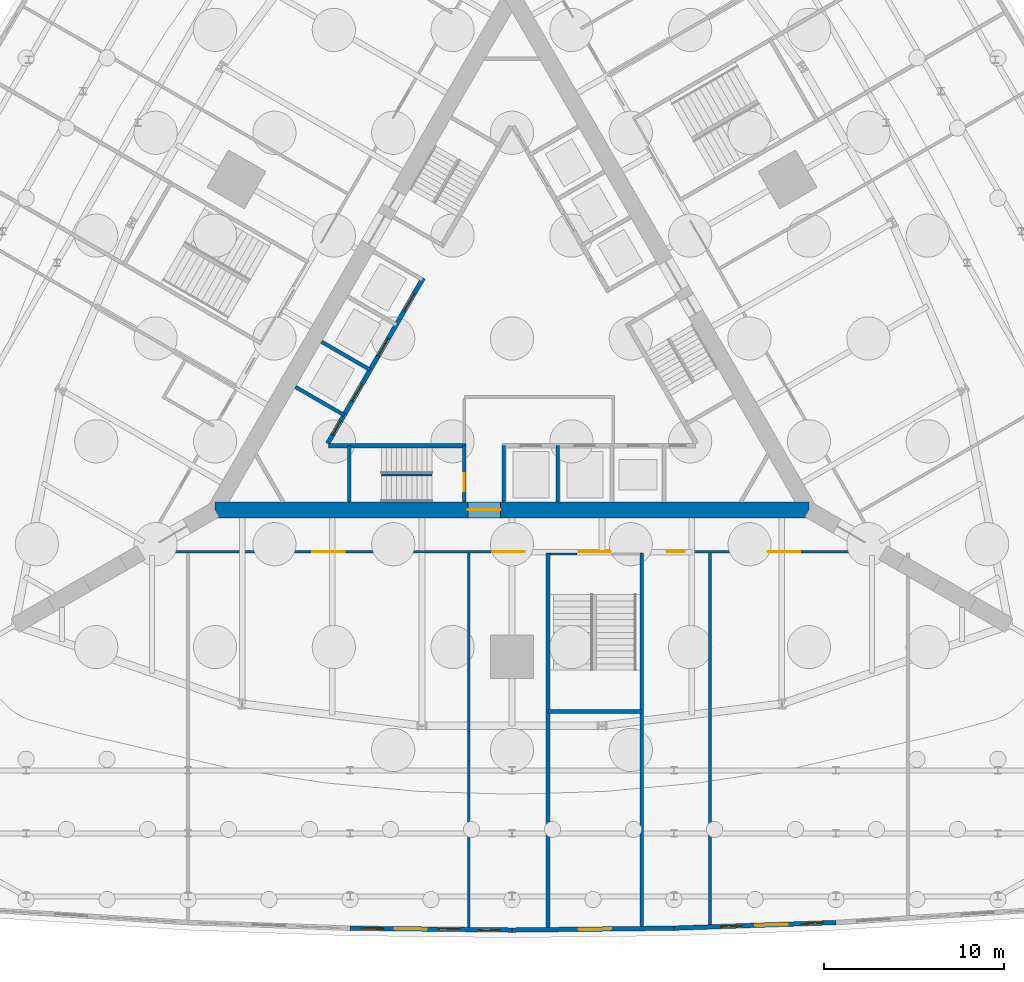
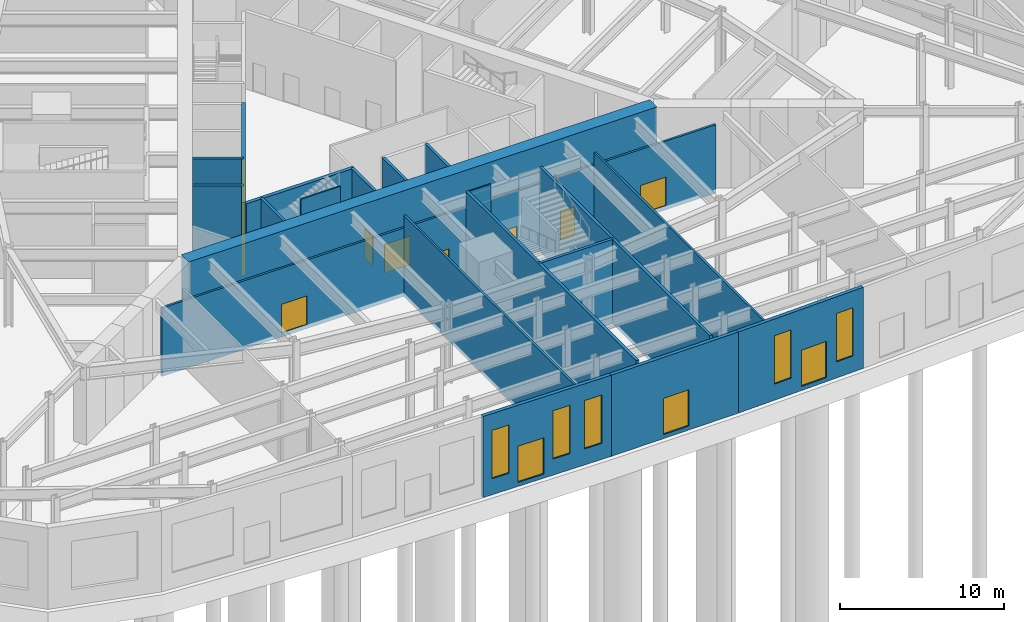
# One storey, part 10 of 17: 20 walls, 14 doors, 5 windows, 19 openings.
"""IFC4 building model written with IfcOpenShell, lengths in metres."""

from ifc_helpers import new_model, si_unit, direction, frame, frame_2d, origin, place, context, subcontext, project, spatial, rectangle, extrude, material, layer, layer_set, type_object, element, fill, save


model = new_model("IFC4")

# Units and contexts
model_context = context("Model", 3, precision=1e-05, world=origin(), true_north=direction((0.0, 1.0)))
body_context = subcontext(model_context, "Body", "Model", "MODEL_VIEW")
ifc_project = project(units=[si_unit("LENGTHUNIT", "METRE"), si_unit("AREAUNIT", "SQUARE_METRE"), si_unit("VOLUMEUNIT", "CUBIC_METRE"), si_unit("PLANEANGLEUNIT", "RADIAN"), si_unit("MASSUNIT", "GRAM", prefix="KILO")], contexts=[model_context])

# Site, building, storey
site_placement = place(None, origin())
site = spatial("IfcSite", under=ifc_project, at=site_placement, CompositionType="ELEMENT")
building_placement = place(site_placement, origin())
building = spatial("IfcBuilding", under=site, at=building_placement, Name="Trikona Tower", CompositionType="ELEMENT")
storey_placement = place(building_placement, origin())
storey = spatial("IfcBuildingStorey", under=building, at=storey_placement, Name="L00", CompositionType="ELEMENT", Elevation=0.0)

# Wall, opening, door
ifc_material_1 = material(Name="Concrete f'c 10000 psi", Category="concrete")
ifc_layer_1 = layer(ifc_material_1, 0.89990234375)
ifc_layer_set_1 = layer_set([ifc_layer_1], Name="Core wall 900")
wall_type_1 = type_object("IfcWallType", Name="Core wall 900", PredefinedType="SHEAR", material=ifc_layer_set_1)
wall_1_placement = place(storey_placement, frame((-16.5, -9.5263671875, -0.300048828125), z_axis=(0.0, 0.0, 1.0), x_axis=(1.0, 0.0, 0.0)))
wall_1 = element("IfcWall", 1, at=wall_1_placement, inside=storey, type_object=wall_type_1, Name="Core wall A", PredefinedType="SHEAR", context=body_context, shape_type="SweptSolid", body=[
    extrude(rectangle(XDim=33.0, YDim=0.89990234375, at=frame_2d((16.5, 0.0))), origin(), (0.0, 0.0, 1.0), 6.300048828125),
])
opening_1_placement = place(wall_1_placement, frame((14.050048828125, 0.0, 0.300048828125)))
opening_1 = element("IfcOpeningElement", 2, at=opening_1_placement, cuts=wall_1, Name="Opening D6", PredefinedType="OPENING", context=body_context, shape_type="SweptSolid", body=[
    extrude(rectangle(XDim=1.800048828125, YDim=2.1298828125, at=frame_2d((0.89990234375, 1.06494140625))), frame((0.0, 0.4599609375, 0.0), z_axis=(0.0, -1.0, 0.0), x_axis=(1.0, 0.0, 0.0)), (0.0, 0.0, 1.0), 0.919921875),
])
ifc_material_2 = material(Name="Hollow metal door and frame", Category="steel")
door_type_1 = type_object("IfcDoorType", Name="Lobby door pair 1800x2130", OperationType="DOUBLE_DOOR_SINGLE_SWING", PredefinedType="DOOR", material=ifc_material_2)
door_1_placement = place(opening_1_placement, origin())
door_1 = element("IfcDoor", 3, at=door_1_placement, inside=storey, type_object=door_type_1, Name="Fire service lift lobby door", OperationType="DOUBLE_DOOR_SINGLE_SWING", OverallHeight=2.1298828125, OverallWidth=1.800048828125, PredefinedType="DOOR", context=body_context, shape_type="SweptSolid", body=[
    extrude(rectangle(XDim=1.800048828125, YDim=2.1298828125, at=frame_2d((0.89990234375, 1.06494140625))), frame((0.0, 0.02490234375, 0.0), z_axis=(0.0, -1.0, 0.0), x_axis=(1.0, 0.0, 0.0)), (0.0, 0.0, 1.0), 0.050048828125),
])
fill(opening_1, door_1)

# Wall, openings, doors
ifc_material_3 = material(Name="Metal stud and gypsum board, 1-hour", Category="gypsum")
ifc_layer_2 = layer(ifc_material_3, 0.14990234375)
ifc_layer_set_2 = layer_set([ifc_layer_2], Name="Corridor wall 150")
wall_type_2 = type_object("IfcWallType", Name="Corridor wall 150", PredefinedType="PARTITIONING", material=ifc_layer_set_2)
wall_2_placement = place(storey_placement, frame((-19.527099609375, -11.851318359375, -0.300048828125), z_axis=(0.0, 0.0, 1.0), x_axis=(1.0, 0.0, 0.0)))
wall_2 = element("IfcWall", 4, at=wall_2_placement, inside=storey, type_object=wall_type_2, Name="Corridor wall L00-1", PredefinedType="PARTITIONING", context=body_context, shape_type="SweptSolid", body=[
    extrude(rectangle(XDim=39.05419921875, YDim=0.14990234375, at=frame_2d((19.527099609375, 0.0))), origin(), (0.0, 0.0, 1.0), 5.107666015625),
])
opening_2_placement = place(wall_2_placement, frame((8.427001953125, 0.0, 0.300048828125)))
opening_2 = element("IfcOpeningElement", 5, at=opening_2_placement, cuts=wall_2, Name="Opening D4", PredefinedType="OPENING", context=body_context, shape_type="SweptSolid", body=[
    extrude(rectangle(XDim=1.800048828125, YDim=2.1298828125, at=frame_2d((0.89990234375, 1.06494140625))), frame((0.0, 0.0849609375, 0.0), z_axis=(0.0, -1.0, 0.0), x_axis=(1.0, 0.0, 0.0)), (0.0, 0.0, 1.0), 0.169921875),
])
opening_3_placement = place(wall_2_placement, frame((18.427001953125, 0.0, 0.300048828125)))
opening_3 = element("IfcOpeningElement", 6, at=opening_3_placement, cuts=wall_2, Name="Opening D4", PredefinedType="OPENING", context=body_context, shape_type="SweptSolid", body=[
    extrude(rectangle(XDim=1.800048828125, YDim=2.1298828125, at=frame_2d((0.89990234375, 1.06494140625))), frame((0.0, 0.0849609375, 0.0), z_axis=(0.0, -1.0, 0.0), x_axis=(1.0, 0.0, 0.0)), (0.0, 0.0, 1.0), 0.169921875),
])
opening_4_placement = place(wall_2_placement, frame((23.22705078125, 0.0, 0.300048828125)))
opening_4 = element("IfcOpeningElement", 7, at=opening_4_placement, cuts=wall_2, Name="Opening D11", PredefinedType="OPENING", context=body_context, shape_type="SweptSolid", body=[
    extrude(rectangle(XDim=1.800048828125, YDim=2.1298828125, at=frame_2d((0.89990234375, 1.06494140625))), frame((0.0, 0.0849609375, 0.0), z_axis=(0.0, -1.0, 0.0), x_axis=(1.0, 0.0, 0.0)), (0.0, 0.0, 1.0), 0.169921875),
])
opening_5_placement = place(wall_2_placement, frame((28.126953125, 0.0, 0.300048828125)))
opening_5 = element("IfcOpeningElement", 8, at=opening_5_placement, cuts=wall_2, Name="Opening D3", PredefinedType="OPENING", context=body_context, shape_type="SweptSolid", body=[
    extrude(rectangle(XDim=1.0, YDim=2.1298828125, at=frame_2d((0.5, 1.06494140625))), frame((0.0, 0.0849609375, 0.0), z_axis=(0.0, -1.0, 0.0), x_axis=(1.0, 0.0, 0.0)), (0.0, 0.0, 1.0), 0.169921875),
])
opening_6_placement = place(wall_2_placement, frame((33.740478515625, 0.0, 0.300048828125)))
opening_6 = element("IfcOpeningElement", 9, at=opening_6_placement, cuts=wall_2, Name="Opening D4", PredefinedType="OPENING", context=body_context, shape_type="SweptSolid", body=[
    extrude(rectangle(XDim=1.800048828125, YDim=2.1298828125, at=frame_2d((0.89990234375, 1.06494140625))), frame((0.0, 0.0849609375, 0.0), z_axis=(0.0, -1.0, 0.0), x_axis=(1.0, 0.0, 0.0)), (0.0, 0.0, 1.0), 0.169921875),
])
ifc_material_4 = material(Name="Steel door frame with solid-core timber leaf", Category="steel")
door_type_2 = type_object("IfcDoorType", Name="Assembly door pair 1800x2130", OperationType="DOUBLE_DOOR_SINGLE_SWING", PredefinedType="DOOR", material=ifc_material_4)
door_2_placement = place(opening_2_placement, origin())
door_2 = element("IfcDoor", 10, at=door_2_placement, inside=storey, type_object=door_type_2, Name="Door Hotel lobby", OperationType="DOUBLE_DOOR_SINGLE_SWING", OverallHeight=2.1298828125, OverallWidth=1.800048828125, PredefinedType="DOOR", context=body_context, shape_type="SweptSolid", body=[
    extrude(rectangle(XDim=1.800048828125, YDim=2.1298828125, at=frame_2d((0.89990234375, 1.06494140625))), frame((0.0, 0.02490234375, 0.0), z_axis=(0.0, -1.0, 0.0), x_axis=(1.0, 0.0, 0.0)), (0.0, 0.0, 1.0), 0.050048828125),
])
fill(opening_2, door_2)
door_3_placement = place(opening_3_placement, origin())
door_3 = element("IfcDoor", 11, at=door_3_placement, inside=storey, type_object=door_type_2, Name="Door Exit passage A", OperationType="DOUBLE_DOOR_SINGLE_SWING", OverallHeight=2.1298828125, OverallWidth=1.800048828125, PredefinedType="DOOR", context=body_context, shape_type="SweptSolid", body=[
    extrude(rectangle(XDim=1.800048828125, YDim=2.1298828125, at=frame_2d((0.89990234375, 1.06494140625))), frame((0.0, 0.02490234375, 0.0), z_axis=(0.0, -1.0, 0.0), x_axis=(1.0, 0.0, 0.0)), (0.0, 0.0, 1.0), 0.050048828125),
])
fill(opening_3, door_3)
door_4_placement = place(opening_6_placement, origin())
door_4 = element("IfcDoor", 12, at=door_4_placement, inside=storey, type_object=door_type_2, Name="Door Observation deck ticket hall", OperationType="DOUBLE_DOOR_SINGLE_SWING", OverallHeight=2.1298828125, OverallWidth=1.800048828125, PredefinedType="DOOR", context=body_context, shape_type="SweptSolid", body=[
    extrude(rectangle(XDim=1.800048828125, YDim=2.1298828125, at=frame_2d((0.89990234375, 1.06494140625))), frame((0.0, 0.02490234375, 0.0), z_axis=(0.0, -1.0, 0.0), x_axis=(1.0, 0.0, 0.0)), (0.0, 0.0, 1.0), 0.050048828125),
])
fill(opening_6, door_4)
ifc_material_5 = material(Name="Hollow metal door and frame", Category="steel")
door_type_3 = type_object("IfcDoorType", Name="Podium stair door 1800x2130", OperationType="DOUBLE_DOOR_SINGLE_SWING", PredefinedType="DOOR", material=ifc_material_5)
door_5_placement = place(opening_4_placement, origin())
door_5 = element("IfcDoor", 13, at=door_5_placement, inside=storey, type_object=door_type_3, Name="Stair door Podium stair PS1", OperationType="DOUBLE_DOOR_SINGLE_SWING", OverallHeight=2.1298828125, OverallWidth=1.800048828125, PredefinedType="DOOR", context=body_context, shape_type="SweptSolid", body=[
    extrude(rectangle(XDim=1.800048828125, YDim=2.1298828125, at=frame_2d((0.89990234375, 1.06494140625))), frame((0.0, 0.02490234375, 0.0), z_axis=(0.0, -1.0, 0.0), x_axis=(1.0, 0.0, 0.0)), (0.0, 0.0, 1.0), 0.050048828125),
])
fill(opening_4, door_5)
ifc_material_6 = material(Name="Steel door frame with solid-core timber leaf", Category="steel")
door_type_4 = type_object("IfcDoorType", Name="Room door 1000x2130", OperationType="SINGLE_SWING_LEFT", PredefinedType="DOOR", material=ifc_material_6)
door_6_placement = place(opening_5_placement, origin())
door_6 = element("IfcDoor", 14, at=door_6_placement, inside=storey, type_object=door_type_4, Name="Door Fire command centre", OperationType="SINGLE_SWING_LEFT", OverallHeight=2.1298828125, OverallWidth=1.0, PredefinedType="DOOR", context=body_context, shape_type="SweptSolid", body=[
    extrude(rectangle(XDim=1.0, YDim=2.1298828125, at=frame_2d((0.5, 1.06494140625))), frame((0.0, 0.02490234375, 0.0), z_axis=(0.0, -1.0, 0.0), x_axis=(1.0, 0.0, 0.0)), (0.0, 0.0, 1.0), 0.050048828125),
])
fill(opening_5, door_6)

# Wall
ifc_material_7 = material(Name="Concrete f'c 8000 psi", Category="concrete")
ifc_layer_3 = layer(ifc_material_7, 0.25)
ifc_layer_set_3 = layer_set([ifc_layer_3], Name="Hub wall 250")
wall_type_3 = type_object("IfcWallType", Name="Hub wall 250", PredefinedType="SOLIDWALL", material=ifc_layer_set_3)
wall_3_placement = place(storey_placement, frame((-10.182861328125, -5.951416015625, -0.300048828125), z_axis=(0.0, 0.0, 1.0), x_axis=(1.0, 0.0, 0.0)))
element("IfcWall", 15, at=wall_3_placement, inside=storey, type_object=wall_type_3, Name="Lift lobby wall A1", PredefinedType="SOLIDWALL", context=body_context, shape_type="SweptSolid", body=[
    extrude(rectangle(XDim=7.6328125, YDim=0.25, at=frame_2d((3.81640625, 0.0))), origin(), (0.0, 0.0, 1.0), 6.050048828125),
])

# Wall, openings, doors
wall_4_placement = place(storey_placement, frame((-4.928955078125, 3.365478515625, -0.300048828125), z_axis=(0.0, 0.0, 1.0), x_axis=(-0.499991433582, -0.866030349552, 0.0)))
wall_4 = element("IfcWall", 16, at=wall_4_placement, inside=storey, type_object=wall_type_3, Name="Lift lobby wall C2", PredefinedType="SOLIDWALL", context=body_context, shape_type="SweptSolid", body=[
    extrude(rectangle(XDim=10.633056640625, YDim=0.25, at=frame_2d((5.31640625, 0.0))), origin(), (0.0, 0.0, 1.0), 6.050048828125),
])
opening_7_placement = place(wall_4_placement, frame((9.1640625, 0.0, 0.300048828125)))
opening_7 = element("IfcOpeningElement", 17, at=opening_7_placement, cuts=wall_4, Name="Opening D14", PredefinedType="OPENING", context=body_context, shape_type="SweptSolid", body=[
    extrude(rectangle(XDim=0.89990234375, YDim=2.1298828125, at=frame_2d((0.449951171875, 1.06494140625))), frame((0.0, 0.135009765625, 0.0), z_axis=(0.0, -1.0, 0.0), x_axis=(1.0, 0.0, 0.0)), (0.0, 0.0, 1.0), 0.27001953125),
])
opening_8_placement = place(wall_4_placement, frame((6.800048828125, 0.0, 0.300048828125)))
opening_8 = element("IfcOpeningElement", 18, at=opening_8_placement, cuts=wall_4, Name="Opening LD", PredefinedType="OPENING", context=body_context, shape_type="SweptSolid", body=[
    extrude(rectangle(XDim=1.10009765625, YDim=2.1298828125, at=frame_2d((0.550048828125, 1.06494140625))), frame((0.0, 0.135009765625, 0.0), z_axis=(0.0, -1.0, 0.0), x_axis=(1.0, 0.0, 0.0)), (0.0, 0.0, 1.0), 0.27001953125),
])
opening_9_placement = place(wall_4_placement, frame((1.0, 0.0, 0.300048828125)))
opening_9 = element("IfcOpeningElement", 19, at=opening_9_placement, cuts=wall_4, Name="Opening LD", PredefinedType="OPENING", context=body_context, shape_type="SweptSolid", body=[
    extrude(rectangle(XDim=1.10009765625, YDim=2.1298828125, at=frame_2d((0.550048828125, 1.06494140625))), frame((0.0, 0.135009765625, 0.0), z_axis=(0.0, -1.0, 0.0), x_axis=(1.0, 0.0, 0.0)), (0.0, 0.0, 1.0), 0.27001953125),
])
opening_10_placement = place(wall_4_placement, frame((3.89990234375, 0.0, 0.300048828125)))
opening_10 = element("IfcOpeningElement", 20, at=opening_10_placement, cuts=wall_4, Name="Opening LD", PredefinedType="OPENING", context=body_context, shape_type="SweptSolid", body=[
    extrude(rectangle(XDim=1.10009765625, YDim=2.1298828125, at=frame_2d((0.550048828125, 1.06494140625))), frame((0.0, 0.135009765625, 0.0), z_axis=(0.0, -1.0, 0.0), x_axis=(1.0, 0.0, 0.0)), (0.0, 0.0, 1.0), 0.27001953125),
])
ifc_material_8 = material(Name="Stainless steel lift landing door", Category="steel")
door_type_5 = type_object("IfcDoorType", Name="Lift landing door 1100x2130", OperationType="DOUBLE_DOOR_SLIDING", PredefinedType="USERDEFINED", material=ifc_material_8)
door_7_placement = place(opening_8_placement, origin())
door_7 = element("IfcDoor", 21, at=door_7_placement, inside=storey, type_object=door_type_5, Name="Lift landing door OB2", ObjectType="LIFT LANDING DOOR", OperationType="DOUBLE_DOOR_SLIDING", OverallHeight=2.1298828125, OverallWidth=1.10009765625, PredefinedType="USERDEFINED", context=body_context, shape_type="SweptSolid", body=[
    extrude(rectangle(XDim=1.10009765625, YDim=2.1298828125, at=frame_2d((0.550048828125, 1.06494140625))), frame((0.0, 0.02490234375, 0.0), z_axis=(0.0, -1.0, 0.0), x_axis=(1.0, 0.0, 0.0)), (0.0, 0.0, 1.0), 0.050048828125),
])
fill(opening_8, door_7)
door_8_placement = place(opening_9_placement, origin())
door_8 = element("IfcDoor", 22, at=door_8_placement, inside=storey, type_object=door_type_5, Name="Lift landing door SH1", ObjectType="LIFT LANDING DOOR", OperationType="DOUBLE_DOOR_SLIDING", OverallHeight=2.1298828125, OverallWidth=1.10009765625, PredefinedType="USERDEFINED", context=body_context, shape_type="SweptSolid", body=[
    extrude(rectangle(XDim=1.10009765625, YDim=2.1298828125, at=frame_2d((0.550048828125, 1.06494140625))), frame((0.0, 0.02490234375, 0.0), z_axis=(0.0, -1.0, 0.0), x_axis=(1.0, 0.0, 0.0)), (0.0, 0.0, 1.0), 0.050048828125),
])
fill(opening_9, door_8)
door_9_placement = place(opening_10_placement, origin())
door_9 = element("IfcDoor", 23, at=door_9_placement, inside=storey, type_object=door_type_5, Name="Lift landing door SH2", ObjectType="LIFT LANDING DOOR", OperationType="DOUBLE_DOOR_SLIDING", OverallHeight=2.1298828125, OverallWidth=1.10009765625, PredefinedType="USERDEFINED", context=body_context, shape_type="SweptSolid", body=[
    extrude(rectangle(XDim=1.10009765625, YDim=2.1298828125, at=frame_2d((0.550048828125, 1.06494140625))), frame((0.0, 0.02490234375, 0.0), z_axis=(0.0, -1.0, 0.0), x_axis=(1.0, 0.0, 0.0)), (0.0, 0.0, 1.0), 0.050048828125),
])
fill(opening_10, door_9)
ifc_material_9 = material(Name="Hollow metal door and frame", Category="steel")
door_type_6 = type_object("IfcDoorType", Name="Service room door 900x2130", OperationType="SINGLE_SWING_LEFT", PredefinedType="DOOR", material=ifc_material_9)
door_10_placement = place(opening_7_placement, origin())
door_10 = element("IfcDoor", 24, at=door_10_placement, inside=storey, type_object=door_type_6, Name="Door Store STR", OperationType="SINGLE_SWING_RIGHT", OverallHeight=2.1298828125, OverallWidth=0.89990234375, PredefinedType="DOOR", context=body_context, shape_type="SweptSolid", body=[
    extrude(rectangle(XDim=0.89990234375, YDim=2.1298828125, at=frame_2d((0.449951171875, 1.06494140625))), frame((0.0, 0.02490234375, 0.0), z_axis=(0.0, -1.0, 0.0), x_axis=(1.0, 0.0, 0.0)), (0.0, 0.0, 1.0), 0.050048828125),
])
fill(opening_7, door_10)

# Wall, openings, door, windows
ifc_material_10 = material(Name="Insulated precast concrete spandrel panel", Category="concrete")
ifc_layer_4 = layer(ifc_material_10, 0.25)
ifc_layer_set_4 = layer_set([ifc_layer_4], Name="Inner skin wall 250")
wall_type_4 = type_object("IfcWallType", Name="Inner skin wall 250", PredefinedType="STANDARD", material=ifc_layer_set_4)
wall_5_placement = place(storey_placement, frame((-8.99853515625, -32.7646484375, -0.300048828125), z_axis=(0.0, 0.0, 1.0), x_axis=(0.999932292689, -0.011636581857, 0.0)))
wall_5 = element("IfcWall", 25, at=wall_5_placement, inside=storey, type_object=wall_type_4, Name="External wall L00-02", PredefinedType="STANDARD", context=body_context, shape_type="SweptSolid", body=[
    extrude(rectangle(XDim=9.00048828125, YDim=0.25, at=frame_2d((4.500244140625, 0.0))), origin(), (0.0, 0.0, 1.0), 6.050048828125),
])
opening_11_placement = place(wall_5_placement, frame((2.47265625, 0.0, 0.300048828125)))
opening_11 = element("IfcOpeningElement", 26, at=opening_11_placement, cuts=wall_5, Name="Opening D7", PredefinedType="OPENING", context=body_context, shape_type="SweptSolid", body=[
    extrude(rectangle(XDim=1.800048828125, YDim=2.699951171875, at=frame_2d((0.89990234375, 1.35009765625))), frame((0.0, 0.135009765625, 0.0), z_axis=(0.0, -1.0, 0.0), x_axis=(1.0, 0.0, 0.0)), (0.0, 0.0, 1.0), 0.27001953125),
])
opening_12_placement = place(wall_5_placement, frame((0.63623046875, 0.0, 1.199951171875)))
opening_12 = element("IfcOpeningElement", 27, at=opening_12_placement, cuts=wall_5, Name="Opening W1236", PredefinedType="OPENING", context=body_context, shape_type="SweptSolid", body=[
    extrude(rectangle(XDim=1.199951171875, YDim=3.60009765625, at=frame_2d((0.60009765625, 1.800048828125))), frame((0.0, 0.135009765625, 0.0), z_axis=(0.0, -1.0, 0.0), x_axis=(1.0, 0.0, 0.0)), (0.0, 0.0, 1.0), 0.27001953125),
])
opening_13_placement = place(wall_5_placement, frame((4.908935546875, 0.0, 1.199951171875)))
opening_13 = element("IfcOpeningElement", 28, at=opening_13_placement, cuts=wall_5, Name="Opening W1236", PredefinedType="OPENING", context=body_context, shape_type="SweptSolid", body=[
    extrude(rectangle(XDim=1.199951171875, YDim=3.60009765625, at=frame_2d((0.60009765625, 1.800048828125))), frame((0.0, 0.135009765625, 0.0), z_axis=(0.0, -1.0, 0.0), x_axis=(1.0, 0.0, 0.0)), (0.0, 0.0, 1.0), 0.27001953125),
])
opening_14_placement = place(wall_5_placement, frame((7.122802734375, 0.0, 1.199951171875)))
opening_14 = element("IfcOpeningElement", 29, at=opening_14_placement, cuts=wall_5, Name="Opening W1236", PredefinedType="OPENING", context=body_context, shape_type="SweptSolid", body=[
    extrude(rectangle(XDim=1.199951171875, YDim=3.60009765625, at=frame_2d((0.60009765625, 1.800048828125))), frame((0.0, 0.135009765625, 0.0), z_axis=(0.0, -1.0, 0.0), x_axis=(1.0, 0.0, 0.0)), (0.0, 0.0, 1.0), 0.27001953125),
])
ifc_material_11 = material(Name="Aluminium-framed glazed door", Category="aluminium")
door_type_7 = type_object("IfcDoorType", Name="Entrance door pair 1800x2700", OperationType="DOUBLE_DOOR_SINGLE_SWING", PredefinedType="DOOR", material=ifc_material_11)
door_11_placement = place(opening_11_placement, origin())
door_11 = element("IfcDoor", 30, at=door_11_placement, inside=storey, type_object=door_type_7, Name="Exit door Hotel lobby", OperationType="DOUBLE_DOOR_SINGLE_SWING", OverallHeight=2.699951171875, OverallWidth=1.800048828125, PredefinedType="DOOR", context=body_context, shape_type="SweptSolid", body=[
    extrude(rectangle(XDim=1.800048828125, YDim=2.699951171875, at=frame_2d((0.89990234375, 1.35009765625))), frame((0.0, 0.02490234375, 0.0), z_axis=(0.0, -1.0, 0.0), x_axis=(1.0, 0.0, 0.0)), (0.0, 0.0, 1.0), 0.050048828125),
])
fill(opening_11, door_11)
ifc_material_12 = material(Name="Aluminium-framed double glazing", Category="aluminium")
window_type = type_object("IfcWindowType", Name="Window 1200x3600", PartitioningType="SINGLE_PANEL", PredefinedType="WINDOW", material=ifc_material_12)
window_1_placement = place(opening_12_placement, origin())
window_1 = element("IfcWindow", 31, at=window_1_placement, inside=storey, type_object=window_type, Name="Window L00-LBY", OverallHeight=3.60009765625, OverallWidth=1.199951171875, PartitioningType="SINGLE_PANEL", PredefinedType="WINDOW", context=body_context, shape_type="SweptSolid", body=[
    extrude(rectangle(XDim=1.199951171875, YDim=3.60009765625, at=frame_2d((0.60009765625, 1.800048828125))), frame((0.0, 0.030029296875, 0.0), z_axis=(0.0, -1.0, 0.0), x_axis=(1.0, 0.0, 0.0)), (0.0, 0.0, 1.0), 0.06005859375),
])
fill(opening_12, window_1)
window_2_placement = place(opening_13_placement, origin())
window_2 = element("IfcWindow", 32, at=window_2_placement, inside=storey, type_object=window_type, Name="Window L00-LBY", OverallHeight=3.60009765625, OverallWidth=1.199951171875, PartitioningType="SINGLE_PANEL", PredefinedType="WINDOW", context=body_context, shape_type="SweptSolid", body=[
    extrude(rectangle(XDim=1.199951171875, YDim=3.60009765625, at=frame_2d((0.60009765625, 1.800048828125))), frame((0.0, 0.030029296875, 0.0), z_axis=(0.0, -1.0, 0.0), x_axis=(1.0, 0.0, 0.0)), (0.0, 0.0, 1.0), 0.06005859375),
])
fill(opening_13, window_2)
window_3_placement = place(opening_14_placement, origin())
window_3 = element("IfcWindow", 33, at=window_3_placement, inside=storey, type_object=window_type, Name="Window L00-EXA", OverallHeight=3.60009765625, OverallWidth=1.199951171875, PartitioningType="SINGLE_PANEL", PredefinedType="WINDOW", context=body_context, shape_type="SweptSolid", body=[
    extrude(rectangle(XDim=1.199951171875, YDim=3.60009765625, at=frame_2d((0.60009765625, 1.800048828125))), frame((0.0, 0.030029296875, 0.0), z_axis=(0.0, -1.0, 0.0), x_axis=(1.0, 0.0, 0.0)), (0.0, 0.0, 1.0), 0.06005859375),
])
fill(opening_14, window_3)

# Wall, opening, door
wall_6_placement = place(storey_placement, frame((8.99853515625, -32.7646484375, -0.300048828125), z_axis=(0.0, 0.0, 1.0), x_axis=(-0.999932292689, -0.011636581857, 0.0)))
wall_6 = element("IfcWall", 34, at=wall_6_placement, inside=storey, type_object=wall_type_4, Name="External wall L00-03", PredefinedType="STANDARD", context=body_context, shape_type="SweptSolid", body=[
    extrude(rectangle(XDim=9.00048828125, YDim=0.25, at=frame_2d((4.500244140625, 0.0))), origin(), (0.0, 0.0, 1.0), 6.050048828125),
])
opening_15_placement = place(wall_6_placement, frame((3.4951171875, 0.0, 0.300048828125)))
opening_15 = element("IfcOpeningElement", 35, at=opening_15_placement, cuts=wall_6, Name="Opening D7", PredefinedType="OPENING", context=body_context, shape_type="SweptSolid", body=[
    extrude(rectangle(XDim=1.800048828125, YDim=2.699951171875, at=frame_2d((0.89990234375, 1.35009765625))), frame((0.0, 0.135009765625, 0.0), z_axis=(0.0, -1.0, 0.0), x_axis=(1.0, 0.0, 0.0)), (0.0, 0.0, 1.0), 0.27001953125),
])
door_12_placement = place(opening_15_placement, origin())
door_12 = element("IfcDoor", 36, at=door_12_placement, inside=storey, type_object=door_type_7, Name="Exit door Podium stair PS1", OperationType="DOUBLE_DOOR_SINGLE_SWING", OverallHeight=2.699951171875, OverallWidth=1.800048828125, PredefinedType="DOOR", context=body_context, shape_type="SweptSolid", body=[
    extrude(rectangle(XDim=1.800048828125, YDim=2.699951171875, at=frame_2d((0.89990234375, 1.35009765625))), frame((0.0, 0.02490234375, 0.0), z_axis=(0.0, -1.0, 0.0), x_axis=(1.0, 0.0, 0.0)), (0.0, 0.0, 1.0), 0.050048828125),
])
fill(opening_15, door_12)

# Wall, openings, door, windows
wall_7_placement = place(storey_placement, frame((8.99560546875, -32.764892578125, -0.300048828125), z_axis=(0.0, 0.0, 1.0), x_axis=(0.999393961522, 0.034809620405, 0.0)))
wall_7 = element("IfcWall", 37, at=wall_7_placement, inside=storey, type_object=wall_type_4, Name="External wall L00-04", PredefinedType="STANDARD", context=body_context, shape_type="SweptSolid", body=[
    extrude(rectangle(XDim=9.00537109375, YDim=0.25, at=frame_2d((4.502685546875, 0.0))), origin(), (0.0, 0.0, 1.0), 6.050048828125),
])
opening_16_placement = place(wall_7_placement, frame((4.5361328125, 0.0, 0.300048828125)))
opening_16 = element("IfcOpeningElement", 38, at=opening_16_placement, cuts=wall_7, Name="Opening D7", PredefinedType="OPENING", context=body_context, shape_type="SweptSolid", body=[
    extrude(rectangle(XDim=1.800048828125, YDim=2.699951171875, at=frame_2d((0.89990234375, 1.35009765625))), frame((0.0, 0.135009765625, 0.0), z_axis=(0.0, -1.0, 0.0), x_axis=(1.0, 0.0, 0.0)), (0.0, 0.0, 1.0), 0.27001953125),
])
opening_17_placement = place(wall_7_placement, frame((2.6015625, 0.0, 1.199951171875)))
opening_17 = element("IfcOpeningElement", 39, at=opening_17_placement, cuts=wall_7, Name="Opening W1236", PredefinedType="OPENING", context=body_context, shape_type="SweptSolid", body=[
    extrude(rectangle(XDim=1.199951171875, YDim=3.60009765625, at=frame_2d((0.60009765625, 1.800048828125))), frame((0.0, 0.135009765625, 0.0), z_axis=(0.0, -1.0, 0.0), x_axis=(1.0, 0.0, 0.0)), (0.0, 0.0, 1.0), 0.27001953125),
])
opening_18_placement = place(wall_7_placement, frame((7.07080078125, 0.0, 1.199951171875)))
opening_18 = element("IfcOpeningElement", 40, at=opening_18_placement, cuts=wall_7, Name="Opening W1236", PredefinedType="OPENING", context=body_context, shape_type="SweptSolid", body=[
    extrude(rectangle(XDim=1.199951171875, YDim=3.60009765625, at=frame_2d((0.60009765625, 1.800048828125))), frame((0.0, 0.135009765625, 0.0), z_axis=(0.0, -1.0, 0.0), x_axis=(1.0, 0.0, 0.0)), (0.0, 0.0, 1.0), 0.27001953125),
])
door_13_placement = place(opening_16_placement, origin())
door_13 = element("IfcDoor", 41, at=door_13_placement, inside=storey, type_object=door_type_7, Name="Exit door Observation deck ticket hall", OperationType="DOUBLE_DOOR_SINGLE_SWING", OverallHeight=2.699951171875, OverallWidth=1.800048828125, PredefinedType="DOOR", context=body_context, shape_type="SweptSolid", body=[
    extrude(rectangle(XDim=1.800048828125, YDim=2.699951171875, at=frame_2d((0.89990234375, 1.35009765625))), frame((0.0, 0.02490234375, 0.0), z_axis=(0.0, -1.0, 0.0), x_axis=(1.0, 0.0, 0.0)), (0.0, 0.0, 1.0), 0.050048828125),
])
fill(opening_16, door_13)
window_4_placement = place(opening_17_placement, origin())
window_4 = element("IfcWindow", 42, at=window_4_placement, inside=storey, type_object=window_type, Name="Window L00-TKT", OverallHeight=3.60009765625, OverallWidth=1.199951171875, PartitioningType="SINGLE_PANEL", PredefinedType="WINDOW", context=body_context, shape_type="SweptSolid", body=[
    extrude(rectangle(XDim=1.199951171875, YDim=3.60009765625, at=frame_2d((0.60009765625, 1.800048828125))), frame((0.0, 0.030029296875, 0.0), z_axis=(0.0, -1.0, 0.0), x_axis=(1.0, 0.0, 0.0)), (0.0, 0.0, 1.0), 0.06005859375),
])
fill(opening_17, window_4)
window_5_placement = place(opening_18_placement, origin())
window_5 = element("IfcWindow", 43, at=window_5_placement, inside=storey, type_object=window_type, Name="Window L00-TKT", OverallHeight=3.60009765625, OverallWidth=1.199951171875, PartitioningType="SINGLE_PANEL", PredefinedType="WINDOW", context=body_context, shape_type="SweptSolid", body=[
    extrude(rectangle(XDim=1.199951171875, YDim=3.60009765625, at=frame_2d((0.60009765625, 1.800048828125))), frame((0.0, 0.030029296875, 0.0), z_axis=(0.0, -1.0, 0.0), x_axis=(1.0, 0.0, 0.0)), (0.0, 0.0, 1.0), 0.06005859375),
])
fill(opening_18, window_5)

# Walls
ifc_material_13 = material(Name="Metal stud and gypsum board, 1-hour acoustic", Category="gypsum")
ifc_layer_5 = layer(ifc_material_13, 0.14990234375)
ifc_layer_set_5 = layer_set([ifc_layer_5], Name="Party wall 150")
wall_type_5 = type_object("IfcWallType", Name="Party wall 150", PredefinedType="PARTITIONING", material=ifc_layer_set_5)
wall_8_placement = place(storey_placement, frame((-2.39990234375, -11.92626953125, -0.300048828125), z_axis=(0.0, 0.0, 1.0), x_axis=(0.0, -1.0, 0.0)))
element("IfcWall", 44, at=wall_8_placement, inside=storey, type_object=wall_type_5, Name="Partition L00 F1 u-2.4", PredefinedType="PARTITIONING", context=body_context, shape_type="SweptSolid", body=[
    extrude(rectangle(XDim=20.7900390625, YDim=0.14990234375, at=frame_2d((10.39501953125, 0.0))), origin(), (0.0, 0.0, 1.0), 6.050048828125),
])
wall_9_placement = place(storey_placement, frame((11.0, -11.92626953125, -0.300048828125), z_axis=(0.0, 0.0, 1.0), x_axis=(0.0, -1.0, 0.0)))
element("IfcWall", 45, at=wall_9_placement, inside=storey, type_object=wall_type_5, Name="Partition L00 F1 u11", PredefinedType="PARTITIONING", context=body_context, shape_type="SweptSolid", body=[
    extrude(rectangle(XDim=20.6435546875, YDim=0.14990234375, at=frame_2d((10.32177734375, 0.0))), origin(), (0.0, 0.0, 1.0), 6.050048828125),
])
ifc_material_14 = material(Name="Concrete f'c 8000 psi", Category="concrete")
ifc_layer_6 = layer(ifc_material_14, 0.199951171875)
ifc_layer_set_6 = layer_set([ifc_layer_6], Name="Shaft wall 200")
wall_type_6 = type_object("IfcWallType", Name="Shaft wall 200", PredefinedType="SOLIDWALL", material=ifc_layer_set_6)
for number, where, z_axis, x_axis, name in (
    (46, (-0.449951171875, -5.951416015625, -0.300048828125), (0.0, 0.0, 1.0), (0.0, -1.0, 0.0), "Shaft wall A3"),
    (47, (2.550048828125, -5.951416015625, -0.300048828125), (0.0, 0.0, 1.0), (0.0, -1.0, 0.0), "Shaft wall A4"),
    (48, (-7.87890625, -1.744140625, -0.300048828125), (0.0, 0.0, 1.0), (-0.866022959057, 0.500004234368, 0.0), "Shaft wall C5"),
    (49, (-9.3291015625, -4.255615234375, -0.300048828125), (0.0, 0.0, 1.0), (-0.866022959057, 0.500004234368, 0.0), "Shaft wall C6"),
):
    element("IfcWall", number, at=place(storey_placement, frame(where, z_axis=z_axis, x_axis=x_axis)), inside=storey, type_object=wall_type_6, Name=name, PredefinedType="SOLIDWALL", context=body_context, shape_type="SweptSolid", body=[
        extrude(rectangle(XDim=3.125, YDim=0.199951171875, at=frame_2d((1.5625, 0.0))), origin(), (0.0, 0.0, 1.0), 6.050048828125),
    ])
ifc_material_15 = material(Name="Concrete f'c 8000 psi", Category="concrete")
ifc_layer_7 = layer(ifc_material_15, 0.199951171875)
ifc_layer_set_7 = layer_set([ifc_layer_7], Name="Shaft wall 200 load-bearing")
wall_type_7 = type_object("IfcWallType", Name="Shaft wall 200 load-bearing", PredefinedType="SOLIDWALL", material=ifc_layer_set_7)
wall_10_placement = place(storey_placement, frame((-9.050048828125, -5.951416015625, -0.300048828125), z_axis=(0.0, 0.0, 1.0), x_axis=(0.0, -1.0, 0.0)))
element("IfcWall", 50, at=wall_10_placement, inside=storey, type_object=wall_type_7, Name="Shaft wall A1", PredefinedType="SOLIDWALL", context=body_context, shape_type="SweptSolid", body=[
    extrude(rectangle(XDim=3.125, YDim=0.199951171875, at=frame_2d((1.5625, 0.0))), origin(), (0.0, 0.0, 1.0), 6.050048828125),
])

# Wall, opening, door
wall_11_placement = place(storey_placement, frame((-2.64990234375, -5.951416015625, -0.300048828125), z_axis=(0.0, 0.0, 1.0), x_axis=(0.0, -1.0, 0.0)))
wall_11 = element("IfcWall", 51, at=wall_11_placement, inside=storey, type_object=wall_type_7, Name="Shaft wall A2", PredefinedType="SOLIDWALL", context=body_context, shape_type="SweptSolid", body=[
    extrude(rectangle(XDim=3.125, YDim=0.199951171875, at=frame_2d((1.5625, 0.0))), origin(), (0.0, 0.0, 1.0), 6.050048828125),
])
opening_19_placement = place(wall_11_placement, frame((1.52490234375, 0.0, 0.300048828125)))
opening_19 = element("IfcOpeningElement", 52, at=opening_19_placement, cuts=wall_11, Name="Opening D5", PredefinedType="OPENING", context=body_context, shape_type="SweptSolid", body=[
    extrude(rectangle(XDim=1.0, YDim=2.1298828125, at=frame_2d((0.5, 1.06494140625))), frame((0.0, 0.10986328125, 0.0), z_axis=(0.0, -1.0, 0.0), x_axis=(1.0, 0.0, 0.0)), (0.0, 0.0, 1.0), 0.219970703125),
])
ifc_material_16 = material(Name="Hollow metal door and frame", Category="steel")
door_type_8 = type_object("IfcDoorType", Name="Stair door 1000x2130", OperationType="SINGLE_SWING_LEFT", PredefinedType="DOOR", material=ifc_material_16)
door_14_placement = place(opening_19_placement, origin())
door_14 = element("IfcDoor", 53, at=door_14_placement, inside=storey, type_object=door_type_8, Name="Stair A door", OperationType="SINGLE_SWING_RIGHT", OverallHeight=2.1298828125, OverallWidth=1.0, PredefinedType="DOOR", context=body_context, shape_type="SweptSolid", body=[
    extrude(rectangle(XDim=1.0, YDim=2.1298828125, at=frame_2d((0.5, 1.06494140625))), frame((0.0, 0.02490234375, 0.0), z_axis=(0.0, -1.0, 0.0), x_axis=(1.0, 0.0, 0.0)), (0.0, 0.0, 1.0), 0.050048828125),
])
fill(opening_19, door_14)

# Walls
ifc_material_17 = material(Name="Concrete f'c 6000 psi", Category="concrete")
ifc_layer_8 = layer(ifc_material_17, 0.10009765625)
ifc_layer_set_8 = layer_set([ifc_layer_8], Name="Stair enclosure wall 100")
wall_type_8 = type_object("IfcWallType", Name="Stair enclosure wall 100", PredefinedType="SOLIDWALL", material=ifc_layer_set_8)
wall_12_placement = place(storey_placement, frame((2.10009765625, -11.976318359375, -0.300048828125), z_axis=(0.0, 0.0, 1.0), x_axis=(1.0, 0.0, 0.0)))
element("IfcWall", 54, at=wall_12_placement, inside=storey, type_object=wall_type_8, Name="Podium stair PS1 end pier 1 L00", PredefinedType="SOLIDWALL", context=body_context, shape_type="SweptSolid", body=[
    extrude(rectangle(XDim=1.5, YDim=0.10009765625, at=frame_2d((0.75, 0.0))), origin(), (0.0, 0.0, 1.0), 6.300048828125),
])
ifc_material_18 = material(Name="Concrete f'c 6000 psi", Category="concrete")
ifc_layer_9 = layer(ifc_material_18, 0.199951171875)
ifc_layer_set_9 = layer_set([ifc_layer_9], Name="Stair enclosure wall 200")
wall_type_9 = type_object("IfcWallType", Name="Stair enclosure wall 200", PredefinedType="SHEAR", material=ifc_layer_set_9)
wall_13_placement = place(storey_placement, frame((2.0, -11.92626953125, -0.300048828125), z_axis=(0.0, 0.0, 1.0), x_axis=(0.0, -1.0, 0.0)))
element("IfcWall", 55, at=wall_13_placement, inside=storey, type_object=wall_type_9, Name="Stair enclosure L00 F1 u2", PredefinedType="SHEAR", context=body_context, shape_type="SweptSolid", body=[
    extrude(rectangle(XDim=20.794677734375, YDim=0.199951171875, at=frame_2d((10.3974609375, 0.0))), origin(), (0.0, 0.0, 1.0), 6.300048828125),
])
wall_14_placement = place(storey_placement, frame((7.199951171875, -11.92626953125, -0.300048828125), z_axis=(0.0, 0.0, 1.0), x_axis=(0.0, -1.0, 0.0)))
element("IfcWall", 56, at=wall_14_placement, inside=storey, type_object=wall_type_9, Name="Stair enclosure L00 F1 u7.2", PredefinedType="SHEAR", context=body_context, shape_type="SweptSolid", body=[
    extrude(rectangle(XDim=20.734375, YDim=0.199951171875, at=frame_2d((10.3671875, 0.0))), origin(), (0.0, 0.0, 1.0), 6.300048828125),
])
wall_15_placement = place(storey_placement, frame((2.0, -20.726318359375, -0.300048828125), z_axis=(0.0, 0.0, 1.0), x_axis=(1.0, 0.0, 0.0)))
element("IfcWall", 57, at=wall_15_placement, inside=storey, type_object=wall_type_9, Name="Podium stair PS1 end wall", PredefinedType="SHEAR", context=body_context, shape_type="SweptSolid", body=[
    extrude(rectangle(XDim=5.199951171875, YDim=0.199951171875, at=frame_2d((2.60009765625, 0.0))), origin(), (0.0, 0.0, 1.0), 6.300048828125),
])
ifc_material_19 = material(Name="Concrete f'c 5000 psi", Category="concrete")
ifc_layer_10 = layer(ifc_material_19, 0.10009765625)
ifc_layer_set_10 = layer_set([ifc_layer_10], Name="Stair spine wall 100")
wall_type_10 = type_object("IfcWallType", Name="Stair spine wall 100", PredefinedType="SOLIDWALL", material=ifc_layer_set_10)
wall_16_placement = place(storey_placement, frame((-7.2470703125, -7.576416015625, 0.0), z_axis=(0.0, 0.0, 1.0), x_axis=(1.0, 0.0, 0.0)))
element("IfcWall", 58, at=wall_16_placement, inside=storey, type_object=wall_type_10, Name="Stair A spine wall L00", PredefinedType="SOLIDWALL", context=body_context, shape_type="SweptSolid", body=[
    extrude(rectangle(XDim=2.794189453125, YDim=0.10009765625, at=frame_2d((1.39697265625, 0.0))), origin(), (0.0, 0.0, 1.0), 6.0),
])

save(model, "model.ifc")
